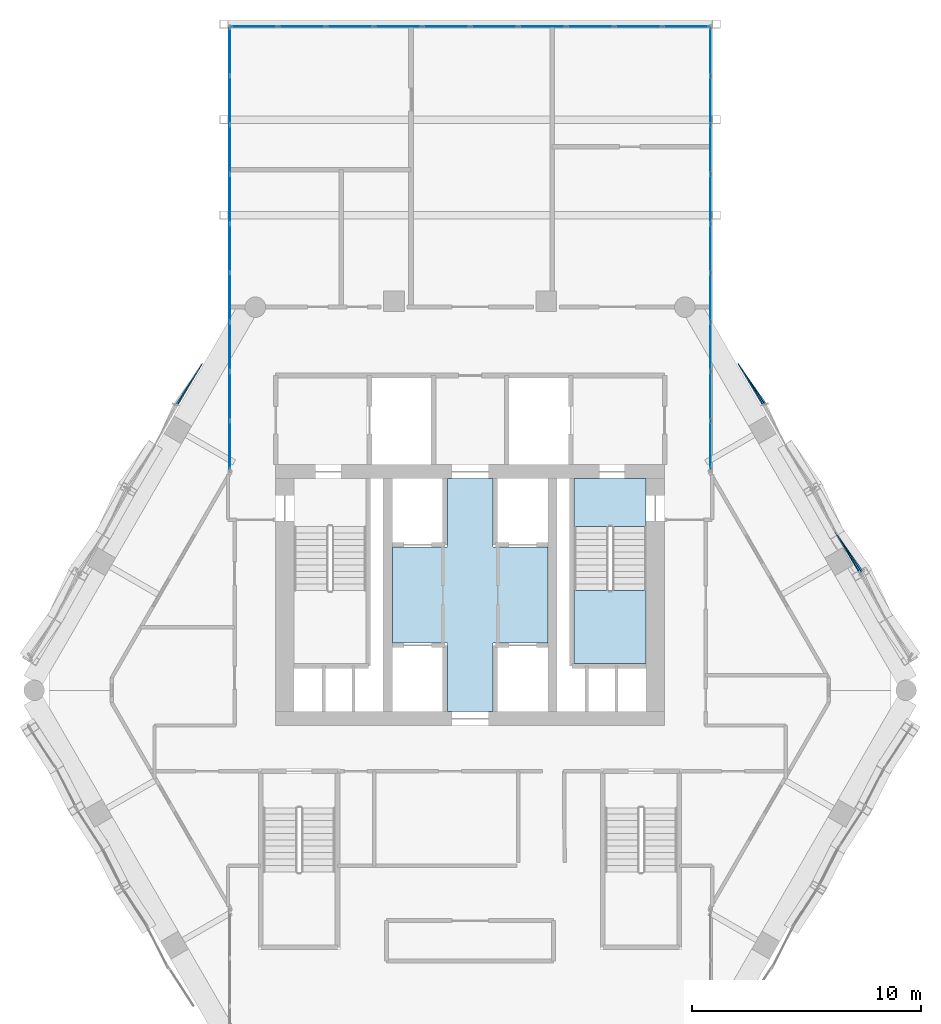
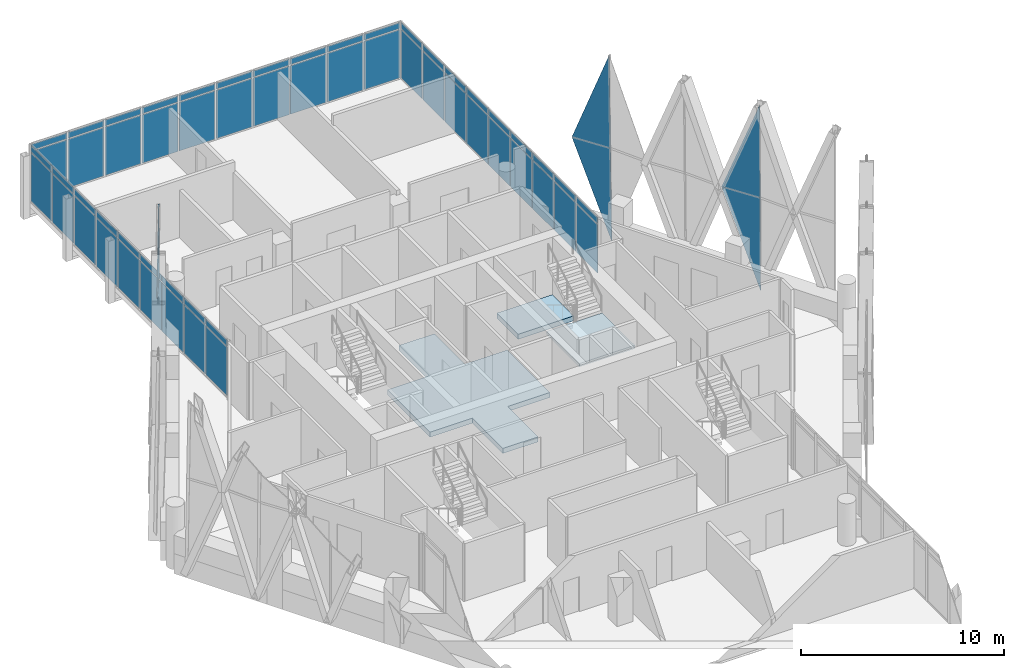
# One storey, part 27 of 37: 61 plates, 3 slabs, 7 elements without a shape of their own.
"""IFC4 building model written with IfcOpenShell, lengths in metres."""

from ifc_helpers import new_model, si_unit, direction, frame, origin, origin_2d, place, context, subcontext, project, spatial, polyline, rectangle, outline, extrude, material, layer, layer_set, type_object, element, aggregate, save


model = new_model("IFC4")

# Units and contexts
model_context = context("Model", 3, precision=1e-05, world=origin(), true_north=direction((0.0, 1.0)))
body_context = subcontext(model_context, "Body", "Model", "MODEL_VIEW")
ifc_project = project(units=[si_unit("LENGTHUNIT", "METRE"), si_unit("AREAUNIT", "SQUARE_METRE"), si_unit("VOLUMEUNIT", "CUBIC_METRE"), si_unit("PLANEANGLEUNIT", "RADIAN"), si_unit("MASSUNIT", "GRAM", prefix="KILO")], contexts=[model_context])

# Site, building, storey
site_placement = place(None, origin())
site = spatial("IfcSite", under=ifc_project, at=site_placement, CompositionType="ELEMENT")
building_placement = place(site_placement, origin())
building = spatial("IfcBuilding", under=site, at=building_placement, Name="Ostrander Bayou Hotel Tower", CompositionType="ELEMENT")
storey_placement = place(building_placement, frame((0.0, 0.0, 225.75)))
storey = spatial("IfcBuildingStorey", under=building, at=storey_placement, Name="L56", CompositionType="ELEMENT", Elevation=225.75)

# Curtain wall, plates
ifc_material_1 = material(Name="Aluminium and clear glass", Category="aluminium")
curtain_wall_type_1 = type_object("IfcCurtainWallType", Name="CW-BAR glazed wall", PredefinedType="NOTDEFINED", material=ifc_material_1)
curtain_wall_1_placement = place(storey_placement, origin())
curtain_wall_1 = element("IfcCurtainWall", 1, at=curtain_wall_1_placement, inside=storey, type_object=curtain_wall_type_1, Name="CW-BAR L56:SB5N:E", PredefinedType="NOTDEFINED")
ifc_material_2 = material(Name="Clear laminated glass", Category="glass")
ifc_layer_1 = layer(ifc_material_2, 0.028076171875)
ifc_layer_set_1 = layer_set([ifc_layer_1], Name="CW-BR glazing panel 28 mm")
plate_type_1 = type_object("IfcPlateType", Name="CW-BR glazing panel 28 mm", PredefinedType="CURTAIN_PANEL", material=ifc_layer_set_1)
plate_1_placement = place(storey_placement, frame((-10.51220703125, 10.557861328125, 0.06005859375), z_axis=(0.0, 0.0, 1.0), x_axis=(0.0, 1.0, 0.0)))
plate_1 = element("IfcPlate", 2, at=plate_1_placement, type_object=plate_type_1, Name="CW-BAR panel 1.1", PredefinedType="CURTAIN_PANEL", context=body_context, shape_type="SweptSolid", body=[
    extrude(rectangle(XDim=2.065673828125, YDim=0.028076171875, at=origin_2d()), origin(), (0.0, 0.0, 1.0), 2.909912109375),
])
plate_2_placement = place(storey_placement, frame((-10.51220703125, 10.557861328125, 3.02978515625), z_axis=(0.0, 0.0, 1.0), x_axis=(0.0, 1.0, 0.0)))
plate_2 = element("IfcPlate", 3, at=plate_2_placement, type_object=plate_type_1, Name="CW-BAR panel 1.2", PredefinedType="CURTAIN_PANEL", context=body_context, shape_type="SweptSolid", body=[
    extrude(rectangle(XDim=2.065673828125, YDim=0.028076171875, at=origin_2d()), origin(), (0.0, 0.0, 1.0), 0.360107421875),
])
plate_3_placement = place(storey_placement, frame((-10.51220703125, 12.698486328125, 0.06005859375), z_axis=(0.0, 0.0, 1.0), x_axis=(0.0, 1.0, 0.0)))
plate_3 = element("IfcPlate", 4, at=plate_3_placement, type_object=plate_type_1, Name="CW-BAR panel 2.1", PredefinedType="CURTAIN_PANEL", context=body_context, shape_type="SweptSolid", body=[
    extrude(rectangle(XDim=2.095703125, YDim=0.028076171875, at=origin_2d()), origin(), (0.0, 0.0, 1.0), 2.909912109375),
])
plate_4_placement = place(storey_placement, frame((-10.51220703125, 12.698486328125, 3.02978515625), z_axis=(0.0, 0.0, 1.0), x_axis=(0.0, 1.0, 0.0)))
plate_4 = element("IfcPlate", 5, at=plate_4_placement, type_object=plate_type_1, Name="CW-BAR panel 2.2", PredefinedType="CURTAIN_PANEL", context=body_context, shape_type="SweptSolid", body=[
    extrude(rectangle(XDim=2.095703125, YDim=0.028076171875, at=origin_2d()), origin(), (0.0, 0.0, 1.0), 0.360107421875),
])
plate_5_placement = place(storey_placement, frame((-10.51220703125, 14.854248046875, 0.06005859375), z_axis=(0.0, 0.0, 1.0), x_axis=(0.0, 1.0, 0.0)))
plate_5 = element("IfcPlate", 6, at=plate_5_placement, type_object=plate_type_1, Name="CW-BAR panel 3.1", PredefinedType="CURTAIN_PANEL", context=body_context, shape_type="SweptSolid", body=[
    extrude(rectangle(XDim=2.095703125, YDim=0.028076171875, at=origin_2d()), origin(), (0.0, 0.0, 1.0), 2.909912109375),
])
plate_6_placement = place(storey_placement, frame((-10.51220703125, 14.854248046875, 3.02978515625), z_axis=(0.0, 0.0, 1.0), x_axis=(0.0, 1.0, 0.0)))
plate_6 = element("IfcPlate", 7, at=plate_6_placement, type_object=plate_type_1, Name="CW-BAR panel 3.2", PredefinedType="CURTAIN_PANEL", context=body_context, shape_type="SweptSolid", body=[
    extrude(rectangle(XDim=2.095703125, YDim=0.028076171875, at=origin_2d()), origin(), (0.0, 0.0, 1.0), 0.360107421875),
])
plate_7_placement = place(storey_placement, frame((-10.51220703125, 17.010009765625, 0.06005859375), z_axis=(0.0, 0.0, 1.0), x_axis=(0.0, 1.0, 0.0)))
plate_7 = element("IfcPlate", 8, at=plate_7_placement, type_object=plate_type_1, Name="CW-BAR panel 4.1", PredefinedType="CURTAIN_PANEL", context=body_context, shape_type="SweptSolid", body=[
    extrude(rectangle(XDim=2.095703125, YDim=0.028076171875, at=origin_2d()), origin(), (0.0, 0.0, 1.0), 2.909912109375),
])
plate_8_placement = place(storey_placement, frame((-10.51220703125, 17.010009765625, 3.02978515625), z_axis=(0.0, 0.0, 1.0), x_axis=(0.0, 1.0, 0.0)))
plate_8 = element("IfcPlate", 9, at=plate_8_placement, type_object=plate_type_1, Name="CW-BAR panel 4.2", PredefinedType="CURTAIN_PANEL", context=body_context, shape_type="SweptSolid", body=[
    extrude(rectangle(XDim=2.095703125, YDim=0.028076171875, at=origin_2d()), origin(), (0.0, 0.0, 1.0), 0.360107421875),
])
plate_9_placement = place(storey_placement, frame((-10.51220703125, 19.165771484375, 0.06005859375), z_axis=(0.0, 0.0, 1.0), x_axis=(0.0, 1.0, 0.0)))
plate_9 = element("IfcPlate", 10, at=plate_9_placement, type_object=plate_type_1, Name="CW-BAR panel 5.1", PredefinedType="CURTAIN_PANEL", context=body_context, shape_type="SweptSolid", body=[
    extrude(rectangle(XDim=2.095703125, YDim=0.028076171875, at=origin_2d()), origin(), (0.0, 0.0, 1.0), 2.909912109375),
])
plate_10_placement = place(storey_placement, frame((-10.51220703125, 19.165771484375, 3.02978515625), z_axis=(0.0, 0.0, 1.0), x_axis=(0.0, 1.0, 0.0)))
plate_10 = element("IfcPlate", 11, at=plate_10_placement, type_object=plate_type_1, Name="CW-BAR panel 5.2", PredefinedType="CURTAIN_PANEL", context=body_context, shape_type="SweptSolid", body=[
    extrude(rectangle(XDim=2.095703125, YDim=0.028076171875, at=origin_2d()), origin(), (0.0, 0.0, 1.0), 0.360107421875),
])
plate_11_placement = place(storey_placement, frame((-10.51220703125, 21.321533203125, 0.06005859375), z_axis=(0.0, 0.0, 1.0), x_axis=(0.0, 1.0, 0.0)))
plate_11 = element("IfcPlate", 12, at=plate_11_placement, type_object=plate_type_1, Name="CW-BAR panel 6.1", PredefinedType="CURTAIN_PANEL", context=body_context, shape_type="SweptSolid", body=[
    extrude(rectangle(XDim=2.095703125, YDim=0.028076171875, at=origin_2d()), origin(), (0.0, 0.0, 1.0), 2.909912109375),
])
plate_12_placement = place(storey_placement, frame((-10.51220703125, 21.321533203125, 3.02978515625), z_axis=(0.0, 0.0, 1.0), x_axis=(0.0, 1.0, 0.0)))
plate_12 = element("IfcPlate", 13, at=plate_12_placement, type_object=plate_type_1, Name="CW-BAR panel 6.2", PredefinedType="CURTAIN_PANEL", context=body_context, shape_type="SweptSolid", body=[
    extrude(rectangle(XDim=2.095703125, YDim=0.028076171875, at=origin_2d()), origin(), (0.0, 0.0, 1.0), 0.360107421875),
])
plate_13_placement = place(storey_placement, frame((-10.51220703125, 23.477294921875, 0.06005859375), z_axis=(0.0, 0.0, 1.0), x_axis=(0.0, 1.0, 0.0)))
plate_13 = element("IfcPlate", 14, at=plate_13_placement, type_object=plate_type_1, Name="CW-BAR panel 7.1", PredefinedType="CURTAIN_PANEL", context=body_context, shape_type="SweptSolid", body=[
    extrude(rectangle(XDim=2.095703125, YDim=0.028076171875, at=origin_2d()), origin(), (0.0, 0.0, 1.0), 2.909912109375),
])
plate_14_placement = place(storey_placement, frame((-10.51220703125, 23.477294921875, 3.02978515625), z_axis=(0.0, 0.0, 1.0), x_axis=(0.0, 1.0, 0.0)))
plate_14 = element("IfcPlate", 15, at=plate_14_placement, type_object=plate_type_1, Name="CW-BAR panel 7.2", PredefinedType="CURTAIN_PANEL", context=body_context, shape_type="SweptSolid", body=[
    extrude(rectangle(XDim=2.095703125, YDim=0.028076171875, at=origin_2d()), origin(), (0.0, 0.0, 1.0), 0.360107421875),
])
plate_15_placement = place(storey_placement, frame((-10.51220703125, 25.633056640625, 0.06005859375), z_axis=(0.0, 0.0, 1.0), x_axis=(0.0, 1.0, 0.0)))
plate_15 = element("IfcPlate", 16, at=plate_15_placement, type_object=plate_type_1, Name="CW-BAR panel 8.1", PredefinedType="CURTAIN_PANEL", context=body_context, shape_type="SweptSolid", body=[
    extrude(rectangle(XDim=2.095703125, YDim=0.028076171875, at=origin_2d()), origin(), (0.0, 0.0, 1.0), 2.909912109375),
])
plate_16_placement = place(storey_placement, frame((-10.51220703125, 25.633056640625, 3.02978515625), z_axis=(0.0, 0.0, 1.0), x_axis=(0.0, 1.0, 0.0)))
plate_16 = element("IfcPlate", 17, at=plate_16_placement, type_object=plate_type_1, Name="CW-BAR panel 8.2", PredefinedType="CURTAIN_PANEL", context=body_context, shape_type="SweptSolid", body=[
    extrude(rectangle(XDim=2.095703125, YDim=0.028076171875, at=origin_2d()), origin(), (0.0, 0.0, 1.0), 0.360107421875),
])
plate_17_placement = place(storey_placement, frame((-10.51220703125, 27.773681640625, 0.06005859375), z_axis=(0.0, 0.0, 1.0), x_axis=(0.0, 1.0, 0.0)))
plate_17 = element("IfcPlate", 18, at=plate_17_placement, type_object=plate_type_1, Name="CW-BAR panel 9.1", PredefinedType="CURTAIN_PANEL", context=body_context, shape_type="SweptSolid", body=[
    extrude(rectangle(XDim=2.065673828125, YDim=0.028076171875, at=origin_2d()), origin(), (0.0, 0.0, 1.0), 2.909912109375),
])
plate_18_placement = place(storey_placement, frame((-10.51220703125, 27.773681640625, 3.02978515625), z_axis=(0.0, 0.0, 1.0), x_axis=(0.0, 1.0, 0.0)))
plate_18 = element("IfcPlate", 19, at=plate_18_placement, type_object=plate_type_1, Name="CW-BAR panel 9.2", PredefinedType="CURTAIN_PANEL", context=body_context, shape_type="SweptSolid", body=[
    extrude(rectangle(XDim=2.065673828125, YDim=0.028076171875, at=origin_2d()), origin(), (0.0, 0.0, 1.0), 0.360107421875),
])
aggregate(curtain_wall_1, [plate_1, plate_2, plate_3, plate_4, plate_5, plate_6, plate_7, plate_8, plate_9, plate_10, plate_11, plate_12, plate_13, plate_14, plate_15, plate_16, plate_17, plate_18])

curtain_wall_2_placement = place(storey_placement, origin())
curtain_wall_2 = element("IfcCurtainWall", 20, at=curtain_wall_2_placement, inside=storey, type_object=curtain_wall_type_1, Name="CW-BAR L56:SB5N:T", PredefinedType="NOTDEFINED")
plate_19_placement = place(storey_placement, frame((-9.446044921875, 28.86669921875, 0.06005859375), z_axis=(0.0, 0.0, 1.0), x_axis=(1.0, 0.0, 0.0)))
plate_19 = element("IfcPlate", 21, at=plate_19_placement, type_object=plate_type_1, Name="CW-BAR panel 1.1", PredefinedType="CURTAIN_PANEL", context=body_context, shape_type="SweptSolid", body=[
    extrude(rectangle(XDim=2.012451171875, YDim=0.028076171875, at=origin_2d()), origin(), (0.0, 0.0, 1.0), 2.909912109375),
])
plate_20_placement = place(storey_placement, frame((-9.446044921875, 28.86669921875, 3.02978515625), z_axis=(0.0, 0.0, 1.0), x_axis=(1.0, 0.0, 0.0)))
plate_20 = element("IfcPlate", 22, at=plate_20_placement, type_object=plate_type_1, Name="CW-BAR panel 1.2", PredefinedType="CURTAIN_PANEL", context=body_context, shape_type="SweptSolid", body=[
    extrude(rectangle(XDim=2.012451171875, YDim=0.028076171875, at=origin_2d()), origin(), (0.0, 0.0, 1.0), 0.360107421875),
])
plate_21_placement = place(storey_placement, frame((-7.358642578125, 28.86669921875, 0.06005859375), z_axis=(0.0, 0.0, 1.0), x_axis=(1.0, 0.0, 0.0)))
plate_21 = element("IfcPlate", 23, at=plate_21_placement, type_object=plate_type_1, Name="CW-BAR panel 2.1", PredefinedType="CURTAIN_PANEL", context=body_context, shape_type="SweptSolid", body=[
    extrude(rectangle(XDim=2.04248046875, YDim=0.028076171875, at=origin_2d()), origin(), (0.0, 0.0, 1.0), 2.909912109375),
])
plate_22_placement = place(storey_placement, frame((-7.358642578125, 28.86669921875, 3.02978515625), z_axis=(0.0, 0.0, 1.0), x_axis=(1.0, 0.0, 0.0)))
plate_22 = element("IfcPlate", 24, at=plate_22_placement, type_object=plate_type_1, Name="CW-BAR panel 2.2", PredefinedType="CURTAIN_PANEL", context=body_context, shape_type="SweptSolid", body=[
    extrude(rectangle(XDim=2.04248046875, YDim=0.028076171875, at=origin_2d()), origin(), (0.0, 0.0, 1.0), 0.360107421875),
])
plate_23_placement = place(storey_placement, frame((-5.256103515625, 28.86669921875, 0.06005859375), z_axis=(0.0, 0.0, 1.0), x_axis=(1.0, 0.0, 0.0)))
plate_23 = element("IfcPlate", 25, at=plate_23_placement, type_object=plate_type_1, Name="CW-BAR panel 3.1", PredefinedType="CURTAIN_PANEL", context=body_context, shape_type="SweptSolid", body=[
    extrude(rectangle(XDim=2.04248046875, YDim=0.028076171875, at=origin_2d()), origin(), (0.0, 0.0, 1.0), 2.909912109375),
])
plate_24_placement = place(storey_placement, frame((-5.256103515625, 28.86669921875, 3.02978515625), z_axis=(0.0, 0.0, 1.0), x_axis=(1.0, 0.0, 0.0)))
plate_24 = element("IfcPlate", 26, at=plate_24_placement, type_object=plate_type_1, Name="CW-BAR panel 3.2", PredefinedType="CURTAIN_PANEL", context=body_context, shape_type="SweptSolid", body=[
    extrude(rectangle(XDim=2.04248046875, YDim=0.028076171875, at=origin_2d()), origin(), (0.0, 0.0, 1.0), 0.360107421875),
])
plate_25_placement = place(storey_placement, frame((-3.153564453125, 28.86669921875, 0.06005859375), z_axis=(0.0, 0.0, 1.0), x_axis=(1.0, 0.0, 0.0)))
plate_25 = element("IfcPlate", 27, at=plate_25_placement, type_object=plate_type_1, Name="CW-BAR panel 4.1", PredefinedType="CURTAIN_PANEL", context=body_context, shape_type="SweptSolid", body=[
    extrude(rectangle(XDim=2.04248046875, YDim=0.028076171875, at=origin_2d()), origin(), (0.0, 0.0, 1.0), 2.909912109375),
])
plate_26_placement = place(storey_placement, frame((-3.153564453125, 28.86669921875, 3.02978515625), z_axis=(0.0, 0.0, 1.0), x_axis=(1.0, 0.0, 0.0)))
plate_26 = element("IfcPlate", 28, at=plate_26_placement, type_object=plate_type_1, Name="CW-BAR panel 4.2", PredefinedType="CURTAIN_PANEL", context=body_context, shape_type="SweptSolid", body=[
    extrude(rectangle(XDim=2.04248046875, YDim=0.028076171875, at=origin_2d()), origin(), (0.0, 0.0, 1.0), 0.360107421875),
])
plate_27_placement = place(storey_placement, frame((-1.05126953125, 28.86669921875, 0.06005859375), z_axis=(0.0, 0.0, 1.0), x_axis=(1.0, 0.0, 0.0)))
plate_27 = element("IfcPlate", 29, at=plate_27_placement, type_object=plate_type_1, Name="CW-BAR panel 5.1", PredefinedType="CURTAIN_PANEL", context=body_context, shape_type="SweptSolid", body=[
    extrude(rectangle(XDim=2.04248046875, YDim=0.028076171875, at=origin_2d()), origin(), (0.0, 0.0, 1.0), 2.909912109375),
])
plate_28_placement = place(storey_placement, frame((-1.05126953125, 28.86669921875, 3.02978515625), z_axis=(0.0, 0.0, 1.0), x_axis=(1.0, 0.0, 0.0)))
plate_28 = element("IfcPlate", 30, at=plate_28_placement, type_object=plate_type_1, Name="CW-BAR panel 5.2", PredefinedType="CURTAIN_PANEL", context=body_context, shape_type="SweptSolid", body=[
    extrude(rectangle(XDim=2.04248046875, YDim=0.028076171875, at=origin_2d()), origin(), (0.0, 0.0, 1.0), 0.360107421875),
])
plate_29_placement = place(storey_placement, frame((1.05126953125, 28.86669921875, 0.06005859375), z_axis=(0.0, 0.0, 1.0), x_axis=(1.0, 0.0, 0.0)))
plate_29 = element("IfcPlate", 31, at=plate_29_placement, type_object=plate_type_1, Name="CW-BAR panel 6.1", PredefinedType="CURTAIN_PANEL", context=body_context, shape_type="SweptSolid", body=[
    extrude(rectangle(XDim=2.04248046875, YDim=0.028076171875, at=origin_2d()), origin(), (0.0, 0.0, 1.0), 2.909912109375),
])
plate_30_placement = place(storey_placement, frame((1.05126953125, 28.86669921875, 3.02978515625), z_axis=(0.0, 0.0, 1.0), x_axis=(1.0, 0.0, 0.0)))
plate_30 = element("IfcPlate", 32, at=plate_30_placement, type_object=plate_type_1, Name="CW-BAR panel 6.2", PredefinedType="CURTAIN_PANEL", context=body_context, shape_type="SweptSolid", body=[
    extrude(rectangle(XDim=2.04248046875, YDim=0.028076171875, at=origin_2d()), origin(), (0.0, 0.0, 1.0), 0.360107421875),
])
plate_31_placement = place(storey_placement, frame((3.153564453125, 28.86669921875, 0.06005859375), z_axis=(0.0, 0.0, 1.0), x_axis=(1.0, 0.0, 0.0)))
plate_31 = element("IfcPlate", 33, at=plate_31_placement, type_object=plate_type_1, Name="CW-BAR panel 7.1", PredefinedType="CURTAIN_PANEL", context=body_context, shape_type="SweptSolid", body=[
    extrude(rectangle(XDim=2.04248046875, YDim=0.028076171875, at=origin_2d()), origin(), (0.0, 0.0, 1.0), 2.909912109375),
])
plate_32_placement = place(storey_placement, frame((3.153564453125, 28.86669921875, 3.02978515625), z_axis=(0.0, 0.0, 1.0), x_axis=(1.0, 0.0, 0.0)))
plate_32 = element("IfcPlate", 34, at=plate_32_placement, type_object=plate_type_1, Name="CW-BAR panel 7.2", PredefinedType="CURTAIN_PANEL", context=body_context, shape_type="SweptSolid", body=[
    extrude(rectangle(XDim=2.04248046875, YDim=0.028076171875, at=origin_2d()), origin(), (0.0, 0.0, 1.0), 0.360107421875),
])
plate_33_placement = place(storey_placement, frame((5.256103515625, 28.86669921875, 0.06005859375), z_axis=(0.0, 0.0, 1.0), x_axis=(1.0, 0.0, 0.0)))
plate_33 = element("IfcPlate", 35, at=plate_33_placement, type_object=plate_type_1, Name="CW-BAR panel 8.1", PredefinedType="CURTAIN_PANEL", context=body_context, shape_type="SweptSolid", body=[
    extrude(rectangle(XDim=2.04248046875, YDim=0.028076171875, at=origin_2d()), origin(), (0.0, 0.0, 1.0), 2.909912109375),
])
plate_34_placement = place(storey_placement, frame((5.256103515625, 28.86669921875, 3.02978515625), z_axis=(0.0, 0.0, 1.0), x_axis=(1.0, 0.0, 0.0)))
plate_34 = element("IfcPlate", 36, at=plate_34_placement, type_object=plate_type_1, Name="CW-BAR panel 8.2", PredefinedType="CURTAIN_PANEL", context=body_context, shape_type="SweptSolid", body=[
    extrude(rectangle(XDim=2.04248046875, YDim=0.028076171875, at=origin_2d()), origin(), (0.0, 0.0, 1.0), 0.360107421875),
])
plate_35_placement = place(storey_placement, frame((7.358642578125, 28.86669921875, 0.06005859375), z_axis=(0.0, 0.0, 1.0), x_axis=(1.0, 0.0, 0.0)))
plate_35 = element("IfcPlate", 37, at=plate_35_placement, type_object=plate_type_1, Name="CW-BAR panel 9.1", PredefinedType="CURTAIN_PANEL", context=body_context, shape_type="SweptSolid", body=[
    extrude(rectangle(XDim=2.04248046875, YDim=0.028076171875, at=origin_2d()), origin(), (0.0, 0.0, 1.0), 2.909912109375),
])
plate_36_placement = place(storey_placement, frame((7.358642578125, 28.86669921875, 3.02978515625), z_axis=(0.0, 0.0, 1.0), x_axis=(1.0, 0.0, 0.0)))
plate_36 = element("IfcPlate", 38, at=plate_36_placement, type_object=plate_type_1, Name="CW-BAR panel 9.2", PredefinedType="CURTAIN_PANEL", context=body_context, shape_type="SweptSolid", body=[
    extrude(rectangle(XDim=2.04248046875, YDim=0.028076171875, at=origin_2d()), origin(), (0.0, 0.0, 1.0), 0.360107421875),
])
plate_37_placement = place(storey_placement, frame((9.446044921875, 28.86669921875, 0.06005859375), z_axis=(0.0, 0.0, 1.0), x_axis=(1.0, 0.0, 0.0)))
plate_37 = element("IfcPlate", 39, at=plate_37_placement, type_object=plate_type_1, Name="CW-BAR panel 10.1", PredefinedType="CURTAIN_PANEL", context=body_context, shape_type="SweptSolid", body=[
    extrude(rectangle(XDim=2.012451171875, YDim=0.028076171875, at=origin_2d()), origin(), (0.0, 0.0, 1.0), 2.909912109375),
])
plate_38_placement = place(storey_placement, frame((9.446044921875, 28.86669921875, 3.02978515625), z_axis=(0.0, 0.0, 1.0), x_axis=(1.0, 0.0, 0.0)))
plate_38 = element("IfcPlate", 40, at=plate_38_placement, type_object=plate_type_1, Name="CW-BAR panel 10.2", PredefinedType="CURTAIN_PANEL", context=body_context, shape_type="SweptSolid", body=[
    extrude(rectangle(XDim=2.012451171875, YDim=0.028076171875, at=origin_2d()), origin(), (0.0, 0.0, 1.0), 0.360107421875),
])
aggregate(curtain_wall_2, [plate_19, plate_20, plate_21, plate_22, plate_23, plate_24, plate_25, plate_26, plate_27, plate_28, plate_29, plate_30, plate_31, plate_32, plate_33, plate_34, plate_35, plate_36, plate_37, plate_38])

curtain_wall_3_placement = place(storey_placement, origin())
curtain_wall_3 = element("IfcCurtainWall", 41, at=curtain_wall_3_placement, inside=storey, type_object=curtain_wall_type_1, Name="CW-BAR L56:SB5N:W", PredefinedType="NOTDEFINED")
plate_39_placement = place(storey_placement, frame((10.51220703125, 10.557861328125, 0.06005859375), z_axis=(0.0, 0.0, 1.0), x_axis=(0.0, 1.0, 0.0)))
plate_39 = element("IfcPlate", 42, at=plate_39_placement, type_object=plate_type_1, Name="CW-BAR panel 1.1", PredefinedType="CURTAIN_PANEL", context=body_context, shape_type="SweptSolid", body=[
    extrude(rectangle(XDim=2.065673828125, YDim=0.028076171875, at=origin_2d()), origin(), (0.0, 0.0, 1.0), 2.909912109375),
])
plate_40_placement = place(storey_placement, frame((10.51220703125, 10.557861328125, 3.02978515625), z_axis=(0.0, 0.0, 1.0), x_axis=(0.0, 1.0, 0.0)))
plate_40 = element("IfcPlate", 43, at=plate_40_placement, type_object=plate_type_1, Name="CW-BAR panel 1.2", PredefinedType="CURTAIN_PANEL", context=body_context, shape_type="SweptSolid", body=[
    extrude(rectangle(XDim=2.065673828125, YDim=0.028076171875, at=origin_2d()), origin(), (0.0, 0.0, 1.0), 0.360107421875),
])
plate_41_placement = place(storey_placement, frame((10.51220703125, 12.698486328125, 0.06005859375), z_axis=(0.0, 0.0, 1.0), x_axis=(0.0, 1.0, 0.0)))
plate_41 = element("IfcPlate", 44, at=plate_41_placement, type_object=plate_type_1, Name="CW-BAR panel 2.1", PredefinedType="CURTAIN_PANEL", context=body_context, shape_type="SweptSolid", body=[
    extrude(rectangle(XDim=2.095703125, YDim=0.028076171875, at=origin_2d()), origin(), (0.0, 0.0, 1.0), 2.909912109375),
])
plate_42_placement = place(storey_placement, frame((10.51220703125, 12.698486328125, 3.02978515625), z_axis=(0.0, 0.0, 1.0), x_axis=(0.0, 1.0, 0.0)))
plate_42 = element("IfcPlate", 45, at=plate_42_placement, type_object=plate_type_1, Name="CW-BAR panel 2.2", PredefinedType="CURTAIN_PANEL", context=body_context, shape_type="SweptSolid", body=[
    extrude(rectangle(XDim=2.095703125, YDim=0.028076171875, at=origin_2d()), origin(), (0.0, 0.0, 1.0), 0.360107421875),
])
plate_43_placement = place(storey_placement, frame((10.51220703125, 14.854248046875, 0.06005859375), z_axis=(0.0, 0.0, 1.0), x_axis=(0.0, 1.0, 0.0)))
plate_43 = element("IfcPlate", 46, at=plate_43_placement, type_object=plate_type_1, Name="CW-BAR panel 3.1", PredefinedType="CURTAIN_PANEL", context=body_context, shape_type="SweptSolid", body=[
    extrude(rectangle(XDim=2.095703125, YDim=0.028076171875, at=origin_2d()), origin(), (0.0, 0.0, 1.0), 2.909912109375),
])
plate_44_placement = place(storey_placement, frame((10.51220703125, 14.854248046875, 3.02978515625), z_axis=(0.0, 0.0, 1.0), x_axis=(0.0, 1.0, 0.0)))
plate_44 = element("IfcPlate", 47, at=plate_44_placement, type_object=plate_type_1, Name="CW-BAR panel 3.2", PredefinedType="CURTAIN_PANEL", context=body_context, shape_type="SweptSolid", body=[
    extrude(rectangle(XDim=2.095703125, YDim=0.028076171875, at=origin_2d()), origin(), (0.0, 0.0, 1.0), 0.360107421875),
])
plate_45_placement = place(storey_placement, frame((10.51220703125, 17.010009765625, 0.06005859375), z_axis=(0.0, 0.0, 1.0), x_axis=(0.0, 1.0, 0.0)))
plate_45 = element("IfcPlate", 48, at=plate_45_placement, type_object=plate_type_1, Name="CW-BAR panel 4.1", PredefinedType="CURTAIN_PANEL", context=body_context, shape_type="SweptSolid", body=[
    extrude(rectangle(XDim=2.095703125, YDim=0.028076171875, at=origin_2d()), origin(), (0.0, 0.0, 1.0), 2.909912109375),
])
plate_46_placement = place(storey_placement, frame((10.51220703125, 17.010009765625, 3.02978515625), z_axis=(0.0, 0.0, 1.0), x_axis=(0.0, 1.0, 0.0)))
plate_46 = element("IfcPlate", 49, at=plate_46_placement, type_object=plate_type_1, Name="CW-BAR panel 4.2", PredefinedType="CURTAIN_PANEL", context=body_context, shape_type="SweptSolid", body=[
    extrude(rectangle(XDim=2.095703125, YDim=0.028076171875, at=origin_2d()), origin(), (0.0, 0.0, 1.0), 0.360107421875),
])
plate_47_placement = place(storey_placement, frame((10.51220703125, 19.165771484375, 0.06005859375), z_axis=(0.0, 0.0, 1.0), x_axis=(0.0, 1.0, 0.0)))
plate_47 = element("IfcPlate", 50, at=plate_47_placement, type_object=plate_type_1, Name="CW-BAR panel 5.1", PredefinedType="CURTAIN_PANEL", context=body_context, shape_type="SweptSolid", body=[
    extrude(rectangle(XDim=2.095703125, YDim=0.028076171875, at=origin_2d()), origin(), (0.0, 0.0, 1.0), 2.909912109375),
])
plate_48_placement = place(storey_placement, frame((10.51220703125, 19.165771484375, 3.02978515625), z_axis=(0.0, 0.0, 1.0), x_axis=(0.0, 1.0, 0.0)))
plate_48 = element("IfcPlate", 51, at=plate_48_placement, type_object=plate_type_1, Name="CW-BAR panel 5.2", PredefinedType="CURTAIN_PANEL", context=body_context, shape_type="SweptSolid", body=[
    extrude(rectangle(XDim=2.095703125, YDim=0.028076171875, at=origin_2d()), origin(), (0.0, 0.0, 1.0), 0.360107421875),
])
plate_49_placement = place(storey_placement, frame((10.51220703125, 21.321533203125, 0.06005859375), z_axis=(0.0, 0.0, 1.0), x_axis=(0.0, 1.0, 0.0)))
plate_49 = element("IfcPlate", 52, at=plate_49_placement, type_object=plate_type_1, Name="CW-BAR panel 6.1", PredefinedType="CURTAIN_PANEL", context=body_context, shape_type="SweptSolid", body=[
    extrude(rectangle(XDim=2.095703125, YDim=0.028076171875, at=origin_2d()), origin(), (0.0, 0.0, 1.0), 2.909912109375),
])
plate_50_placement = place(storey_placement, frame((10.51220703125, 21.321533203125, 3.02978515625), z_axis=(0.0, 0.0, 1.0), x_axis=(0.0, 1.0, 0.0)))
plate_50 = element("IfcPlate", 53, at=plate_50_placement, type_object=plate_type_1, Name="CW-BAR panel 6.2", PredefinedType="CURTAIN_PANEL", context=body_context, shape_type="SweptSolid", body=[
    extrude(rectangle(XDim=2.095703125, YDim=0.028076171875, at=origin_2d()), origin(), (0.0, 0.0, 1.0), 0.360107421875),
])
plate_51_placement = place(storey_placement, frame((10.51220703125, 23.477294921875, 0.06005859375), z_axis=(0.0, 0.0, 1.0), x_axis=(0.0, 1.0, 0.0)))
plate_51 = element("IfcPlate", 54, at=plate_51_placement, type_object=plate_type_1, Name="CW-BAR panel 7.1", PredefinedType="CURTAIN_PANEL", context=body_context, shape_type="SweptSolid", body=[
    extrude(rectangle(XDim=2.095703125, YDim=0.028076171875, at=origin_2d()), origin(), (0.0, 0.0, 1.0), 2.909912109375),
])
plate_52_placement = place(storey_placement, frame((10.51220703125, 23.477294921875, 3.02978515625), z_axis=(0.0, 0.0, 1.0), x_axis=(0.0, 1.0, 0.0)))
plate_52 = element("IfcPlate", 55, at=plate_52_placement, type_object=plate_type_1, Name="CW-BAR panel 7.2", PredefinedType="CURTAIN_PANEL", context=body_context, shape_type="SweptSolid", body=[
    extrude(rectangle(XDim=2.095703125, YDim=0.028076171875, at=origin_2d()), origin(), (0.0, 0.0, 1.0), 0.360107421875),
])
plate_53_placement = place(storey_placement, frame((10.51220703125, 25.633056640625, 0.06005859375), z_axis=(0.0, 0.0, 1.0), x_axis=(0.0, 1.0, 0.0)))
plate_53 = element("IfcPlate", 56, at=plate_53_placement, type_object=plate_type_1, Name="CW-BAR panel 8.1", PredefinedType="CURTAIN_PANEL", context=body_context, shape_type="SweptSolid", body=[
    extrude(rectangle(XDim=2.095703125, YDim=0.028076171875, at=origin_2d()), origin(), (0.0, 0.0, 1.0), 2.909912109375),
])
plate_54_placement = place(storey_placement, frame((10.51220703125, 25.633056640625, 3.02978515625), z_axis=(0.0, 0.0, 1.0), x_axis=(0.0, 1.0, 0.0)))
plate_54 = element("IfcPlate", 57, at=plate_54_placement, type_object=plate_type_1, Name="CW-BAR panel 8.2", PredefinedType="CURTAIN_PANEL", context=body_context, shape_type="SweptSolid", body=[
    extrude(rectangle(XDim=2.095703125, YDim=0.028076171875, at=origin_2d()), origin(), (0.0, 0.0, 1.0), 0.360107421875),
])
plate_55_placement = place(storey_placement, frame((10.51220703125, 27.773681640625, 0.06005859375), z_axis=(0.0, 0.0, 1.0), x_axis=(0.0, 1.0, 0.0)))
plate_55 = element("IfcPlate", 58, at=plate_55_placement, type_object=plate_type_1, Name="CW-BAR panel 9.1", PredefinedType="CURTAIN_PANEL", context=body_context, shape_type="SweptSolid", body=[
    extrude(rectangle(XDim=2.065673828125, YDim=0.028076171875, at=origin_2d()), origin(), (0.0, 0.0, 1.0), 2.909912109375),
])
plate_56_placement = place(storey_placement, frame((10.51220703125, 27.773681640625, 3.02978515625), z_axis=(0.0, 0.0, 1.0), x_axis=(0.0, 1.0, 0.0)))
plate_56 = element("IfcPlate", 59, at=plate_56_placement, type_object=plate_type_1, Name="CW-BAR panel 9.2", PredefinedType="CURTAIN_PANEL", context=body_context, shape_type="SweptSolid", body=[
    extrude(rectangle(XDim=2.065673828125, YDim=0.028076171875, at=origin_2d()), origin(), (0.0, 0.0, 1.0), 0.360107421875),
])
aggregate(curtain_wall_3, [plate_39, plate_40, plate_41, plate_42, plate_43, plate_44, plate_45, plate_46, plate_47, plate_48, plate_49, plate_50, plate_51, plate_52, plate_53, plate_54, plate_55, plate_56])

# Curtain wall, plate
ifc_material_3 = material(Name="Aluminium and clear glass", Category="aluminium")
curtain_wall_type_2 = type_object("IfcCurtainWallType", Name="CW-LAT lattice glazing", PredefinedType="NOTDEFINED", material=ifc_material_3)
curtain_wall_4_placement = place(storey_placement, origin())
curtain_wall_4 = element("IfcCurtainWall", 60, at=curtain_wall_4_placement, inside=storey, type_object=curtain_wall_type_2, Name="CW-LAT L56 NW 2", PredefinedType="NOTDEFINED")
ifc_material_4 = material(Name="Clear laminated glass", Category="glass")
ifc_layer_2 = layer(ifc_material_4, 0.028076171875)
ifc_layer_set_2 = layer_set([ifc_layer_2], Name="CW-LA glazing panel 28 mm")
plate_type_2 = type_object("IfcPlateType", Name="CW-LA glazing panel 28 mm", PredefinedType="CURTAIN_PANEL", material=ifc_layer_set_2)
plate_57_placement = place(storey_placement, frame((-11.722412109375, 14.1240234375, 5.02490234375), z_axis=(-0.838771765296, 0.544294680984, 0.014325711009), x_axis=(-0.178991706201, -0.300488121041, 0.936839825277)))
plate_57 = element("IfcPlate", 61, at=plate_57_placement, type_object=plate_type_2, Name="CW-LAT panel 2", PredefinedType="CURTAIN_PANEL", context=body_context, shape_type="SweptSolid", body=[
    extrude(outline(polyline([(0.0, 0.0), (6.004228095596994, 2.220446049250313e-16), (0.7431557352116216, -1.9922381922212162), (0.0, 0.0)])), origin(), (0.0, 0.0, -1.0), 0.028076171875),
])
aggregate(curtain_wall_4, [plate_57])

curtain_wall_5_placement = place(storey_placement, origin())
curtain_wall_5 = element("IfcCurtainWall", 62, at=curtain_wall_5_placement, inside=storey, type_object=curtain_wall_type_2, Name="CW-LAT L56 NE 3", PredefinedType="NOTDEFINED")
plate_58_placement = place(storey_placement, frame((15.969482421875, 6.767822265625, 5.02490234375), z_axis=(0.838766720021, 0.544291407011, 0.01473952645), x_axis=(0.202513308805, -0.286721130568, -0.936364967864)))
plate_58 = element("IfcPlate", 63, at=plate_58_placement, type_object=plate_type_2, Name="CW-LAT panel 5", PredefinedType="CURTAIN_PANEL", context=body_context, shape_type="SweptSolid", body=[
    extrude(outline(polyline([(0.0, 0.0), (6.007273011112192, 2.220446049250313e-16), (0.7458252385185498, -1.9912403609086302), (0.0, 0.0)])), origin(), (0.0, 0.0, -1.0), 0.028076171875),
])

curtain_wall_6_placement = place(storey_placement, origin())
curtain_wall_6 = element("IfcCurtainWall", 64, at=curtain_wall_6_placement, inside=storey, type_object=curtain_wall_type_2, Name="CW-LAT L56 NE 4", PredefinedType="NOTDEFINED")
plate_59_placement = place(storey_placement, frame((15.969482421875, 6.767822265625, 5.02490234375), z_axis=(0.838767169539, 0.544291698711, 0.014703129524), x_axis=(0.182469112527, -0.306426462971, 0.93424185614)))
plate_59 = element("IfcPlate", 65, at=plate_59_placement, type_object=plate_type_2, Name="CW-LAT panel 6", PredefinedType="CURTAIN_PANEL", context=body_context, shape_type="SweptSolid", body=[
    extrude(outline(polyline([(0.0, 0.0), (6.020924841923475, 0.0), (0.7577729006246983, 1.9867243624623963), (0.0, 0.0)])), origin(), (0.0, 0.0, -1.0), 0.028076171875),
])

# Plate
plate_60_placement = place(storey_placement, frame((11.722412109375, 14.1240234375, 5.02490234375), z_axis=(0.838771765296, 0.544294680984, 0.014325711009), x_axis=(0.205884904706, -0.292697004289, -0.933777205598)))
plate_60 = element("IfcPlate", 66, at=plate_60_placement, type_object=plate_type_2, Name="CW-LAT panel 13", PredefinedType="CURTAIN_PANEL", context=body_context, shape_type="SweptSolid", body=[
    extrude(outline(polyline([(0.0, 0.0), (6.0239208735009795, -4.440892098500626e-16), (0.7603868765994949, -1.9857253735645446), (0.0, 0.0)])), origin(), (0.0, 0.0, -1.0), 0.028076171875),
])

aggregate(curtain_wall_5, [plate_58, plate_60])

plate_61_placement = place(storey_placement, frame((11.722412109375, 14.1240234375, 5.02490234375), z_axis=(0.838771765296, 0.544294680984, 0.014325711009), x_axis=(0.178991706201, -0.300488121041, 0.936839825277)))
plate_61 = element("IfcPlate", 67, at=plate_61_placement, type_object=plate_type_2, Name="CW-LAT panel 14", PredefinedType="CURTAIN_PANEL", context=body_context, shape_type="SweptSolid", body=[
    extrude(outline(polyline([(0.0, 0.0), (6.004228095596994, -2.220446049250313e-16), (0.7431557352116216, 1.9922381922212162), (0.0, 0.0)])), origin(), (0.0, 0.0, -1.0), 0.028076171875),
])

aggregate(curtain_wall_6, [plate_59, plate_61])

# Slabs
ifc_material_5 = material(Name="Concrete f'c 40 MPa", Category="concrete")
ifc_layer_3 = layer(ifc_material_5, 0.300048828125)
ifc_layer_set_3 = layer_set([ifc_layer_3], Name="SL1 floor slab 300 mm f'c 40 MPa")
slab_type_1 = type_object("IfcSlabType", Name="SL1 floor slab 300 mm f'c 40 MPa", PredefinedType="FLOOR", material=ifc_layer_set_3)
slab_1_placement = place(storey_placement, frame((0.0, 0.0, -0.300048828125)))
element("IfcSlab", 68, at=slab_1_placement, inside=storey, type_object=slab_type_1, Name="cslab:L56:001", PredefinedType="FLOOR", context=body_context, shape_type="SweptSolid", body=[
    extrude(outline(polyline([(-3.39990234375, 6.10009765625), (-1.0, 6.10009765625), (-1.0, 9.10009765625), (1.0, 9.10009765625), (1.0, 6.10009765625), (3.39990234375, 6.10009765625), (3.39990234375, 1.89990234375), (1.0, 1.89990234375), (1.0, -1.10009765625), (-1.0, -1.10009765625), (-1.0, 1.89990234375), (-3.39990234375, 1.89990234375), (-3.39990234375, 6.10009765625)])), origin(), (0.0, 0.0, 1.0), 0.300048828125),
])
slab_2_placement = place(storey_placement, frame((0.0, 0.0, -0.300048828125)))
element("IfcSlab", 69, at=slab_2_placement, inside=storey, type_object=slab_type_1, Name="cslab:L56:003", PredefinedType="FLOOR", context=body_context, shape_type="SweptSolid", body=[
    extrude(outline(polyline([(7.699951171875, 7.0), (7.699951171875, 9.10009765625), (4.550048828125, 9.10009765625), (4.550048828125, 7.0), (7.699951171875, 7.0)])), origin(), (0.0, 0.0, 1.0), 0.300048828125),
])

# Stair, slab
ifc_material_6 = material(Name="Concrete f'c 45 MPa", Category="concrete")
stair_type = type_object("IfcStairType", Name="ST1 exit stair 1500 mm f'c 45 MPa", PredefinedType="HALF_TURN_STAIR", material=ifc_material_6)
stair_placement = place(storey_placement, origin())
stair = element("IfcStair", 70, at=stair_placement, inside=storey, type_object=stair_type, Name="L56 exit stair B", PredefinedType="HALF_TURN_STAIR")
ifc_material_7 = material(Name="Concrete f'c 45 MPa", Category="concrete")
ifc_layer_4 = layer(ifc_material_7, 0.199951171875)
ifc_layer_set_4 = layer_set([ifc_layer_4], Name="SL8 stair landing 200 mm f'c 45 MPa")
slab_type_2 = type_object("IfcSlabType", Name="SL8 stair landing 200 mm f'c 45 MPa", PredefinedType="LANDING", material=ifc_layer_set_4)
slab_3_placement = place(storey_placement, frame((0.0, 0.0, 1.675048828125)))
slab_3 = element("IfcSlab", 71, at=slab_3_placement, type_object=slab_type_2, Name="STB landing 1", PredefinedType="LANDING", context=body_context, shape_type="SweptSolid", body=[
    extrude(outline(polyline([(4.550048828125, 4.199951171875), (4.550048828125, 1.0), (7.699951171875, 1.0), (7.699951171875, 4.199951171875), (4.550048828125, 4.199951171875)])), origin(), (0.0, 0.0, 1.0), 0.199951171875),
])
aggregate(stair, [slab_3])

save(model, "model.ifc")
